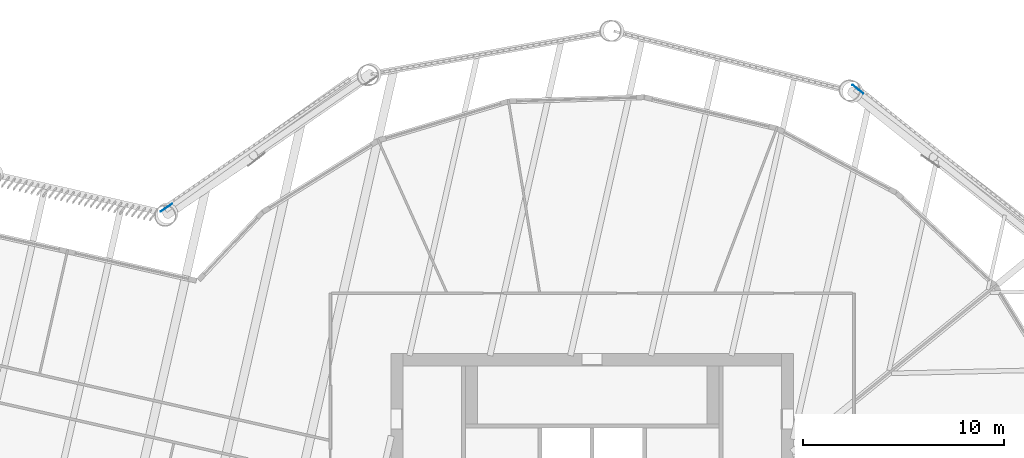
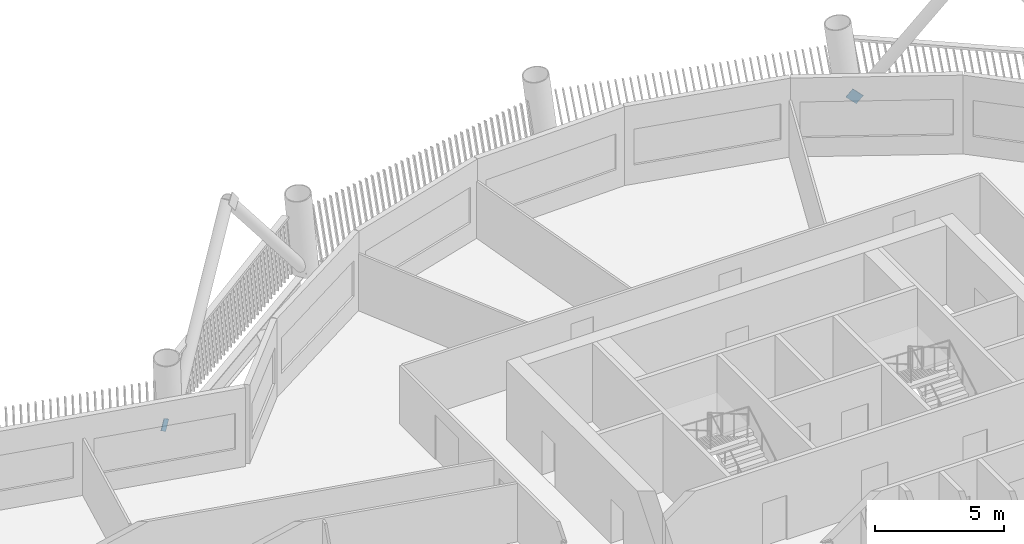
# One storey, part 15 of 23: 2 discrete accessories.
"""IFC4 building model written with IfcOpenShell, lengths in metres."""

from ifc_helpers import new_model, si_unit, direction, frame, origin, origin_2d, place, context, subcontext, project, spatial, rectangle, extrude, material, material_profile, profile_set, type_object, element, save


model = new_model("IFC4")

# Units and contexts
model_context = context("Model", 3, precision=1e-05, world=origin(), true_north=direction((0.0, 1.0)))
body_context = subcontext(model_context, "Body", "Model", "MODEL_VIEW")
ifc_project = project(units=[si_unit("LENGTHUNIT", "METRE"), si_unit("AREAUNIT", "SQUARE_METRE"), si_unit("VOLUMEUNIT", "CUBIC_METRE"), si_unit("PLANEANGLEUNIT", "RADIAN"), si_unit("MASSUNIT", "GRAM", prefix="KILO")], contexts=[model_context])

# Site, building, storey
site_placement = place(None, origin())
site = spatial("IfcSite", under=ifc_project, at=site_placement, CompositionType="ELEMENT")
building_placement = place(site_placement, origin())
building = spatial("IfcBuilding", under=site, at=building_placement, Name="Tarsis Ring Headquarters", CompositionType="ELEMENT")
storey_placement = place(building_placement, frame((0.0, 0.0, 231.60009765625)))
storey = spatial("IfcBuildingStorey", under=building, at=storey_placement, Name="L54", CompositionType="ELEMENT", Elevation=231.60009765625)

# Discrete accessories
ifc_material = material(Name="Structural steel S355", Category="steel")
ifc_material_profile = material_profile(ifc_material, rectangle(XDim=0.02490234375, YDim=0.5, at=origin_2d()), Name="PL 25x500")
ifc_profile_set = profile_set([ifc_material_profile], Name="Structural steel S355")
discrete_accessory_type = type_object("IfcDiscreteAccessoryType", Name="Gusset plate Exo brace 25", PredefinedType="BRACKET", material=ifc_profile_set)
for number, where, z_axis, x_axis, name in (
    (1, (13.0908203125, 26.222900390625, 0.0), (0.431229357632, -0.346253244124, 0.833156607158), (0.626094026771, 0.779747567897, 0.0), "Gusset plate GP5"),
    (2, (-21.259521484375, 20.175537109375, 0.0), (0.45714041729, 0.311109450656, 0.833206786214), (-0.562624043307, 0.826712879961, 0.0), "Gusset plate GP5"),
):
    element("IfcDiscreteAccessory", number, at=place(storey_placement, frame(where, z_axis=z_axis, x_axis=x_axis)), inside=storey, type_object=discrete_accessory_type, Name=name, PredefinedType="BRACKET", context=body_context, shape_type="SweptSolid", body=[
        extrude(rectangle(XDim=0.02490234375, YDim=0.5, at=origin_2d()), origin(), (0.0, 0.0, 1.0), 0.5),
    ])

save(model, "model.ifc")
